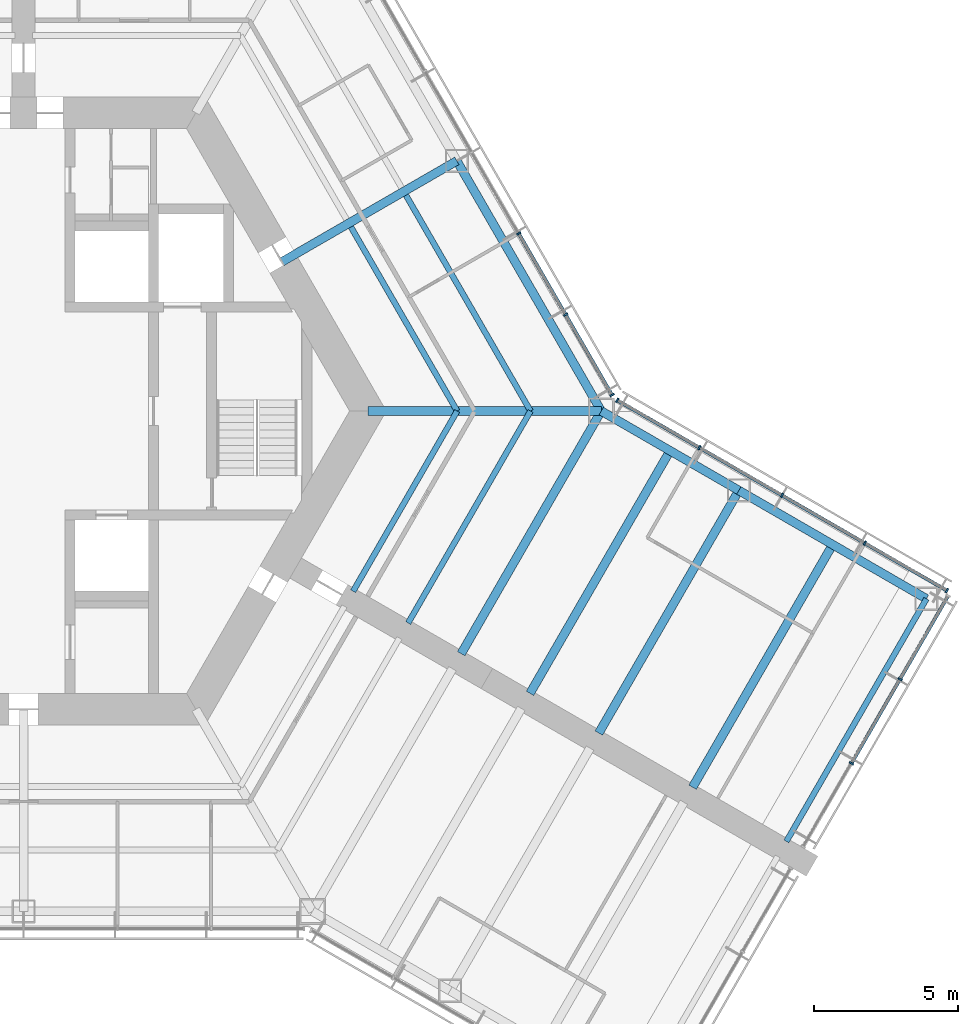
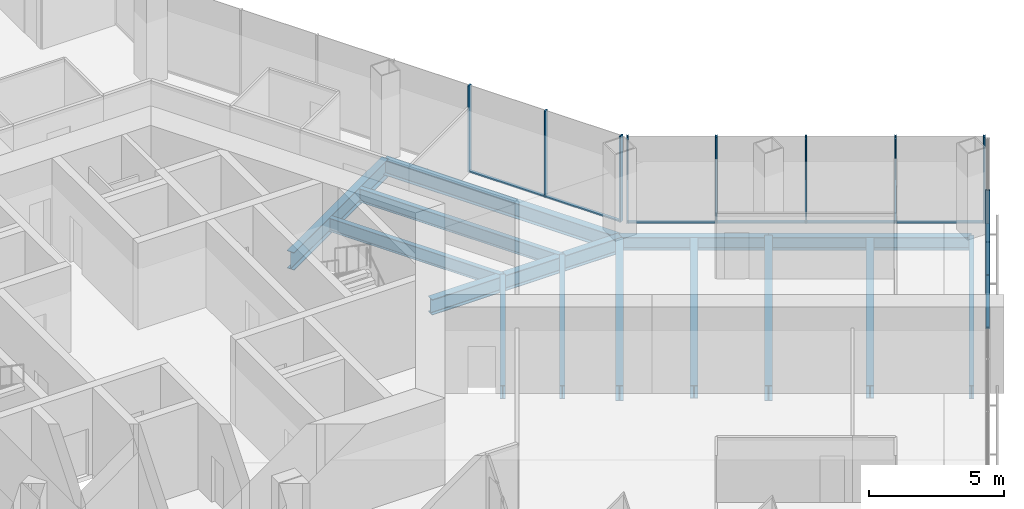
# One storey, part 6 of 18: 18 members, 14 beams, 3 elements without a shape of their own.
"""IFC4 building model written with IfcOpenShell, lengths in metres."""

from ifc_helpers import new_model, si_unit, direction, frame, origin, origin_2d, place, context, subcontext, project, spatial, rectangle, i_section, extrude, material, material_profile, profile_set, type_object, element, aggregate, save


model = new_model("IFC4")

# Units and contexts
model_context = context("Model", 3, precision=1e-05, world=origin(), true_north=direction((0.0, 1.0)))
body_context = subcontext(model_context, "Body", "Model", "MODEL_VIEW")
ifc_project = project(units=[si_unit("LENGTHUNIT", "METRE"), si_unit("AREAUNIT", "SQUARE_METRE"), si_unit("VOLUMEUNIT", "CUBIC_METRE"), si_unit("PLANEANGLEUNIT", "RADIAN"), si_unit("MASSUNIT", "GRAM", prefix="KILO")], contexts=[model_context])

# Site, building, storey
site_placement = place(None, origin())
site = spatial("IfcSite", under=ifc_project, at=site_placement, CompositionType="ELEMENT")
building_placement = place(site_placement, origin())
building = spatial("IfcBuilding", under=site, at=building_placement, Name="Kasaneha Research Tower", CompositionType="ELEMENT")
storey_placement = place(building_placement, frame((0.0, 0.0, 115.800048828125)))
storey = spatial("IfcBuildingStorey", under=building, at=storey_placement, Name="L29", CompositionType="ELEMENT", Elevation=115.800048828125)

# Beams
ifc_material_1 = material(Name="Steel SN490B", Category="steel")
ifc_material_profile_1 = material_profile(ifc_material_1, i_section(OverallWidth=0.199951171875, OverallDepth=0.60009765625, WebThickness=0.010986328125, FlangeThickness=0.01708984375, FilletRadius=0.012939453125, at=origin_2d()), Name="H-600x200x11x17")
ifc_profile_set_1 = profile_set([ifc_material_profile_1], Name="Steel SN490B")
beam_type_1 = type_object("IfcBeamType", Name="B1-3 secondary beam H-600x200x11x17", PredefinedType="JOIST", material=ifc_profile_set_1)
beam_1_placement = place(storey_placement, frame((15.010986328125, 0.0, -0.449951171875), z_axis=(-0.499994443168, 0.866028611999, 0.0), x_axis=(-0.866028611999, -0.499994443168, 0.0)))
element("IfcBeam", 1, at=beam_1_placement, inside=storey, type_object=beam_type_1, Name="Secondary beam RS030L1 L29", PredefinedType="JOIST", context=body_context, shape_type="SweptSolid", body=[
    extrude(i_section(OverallWidth=0.199951171875, OverallDepth=0.60009765625, WebThickness=0.010986328125, FlangeThickness=0.01708984375, FilletRadius=0.012939453125, at=origin_2d()), origin(), (0.0, 0.0, 1.0), 7.35546875),
])
beam_2_placement = place(storey_placement, frame((17.551513671875, 0.0, -0.449951171875), z_axis=(-0.5000050195, 0.866022505755, 0.0), x_axis=(-0.866022505755, -0.5000050195, 0.0)))
element("IfcBeam", 2, at=beam_2_placement, inside=storey, type_object=beam_type_1, Name="Secondary beam RS030L2 L29", PredefinedType="JOIST", context=body_context, shape_type="SweptSolid", body=[
    extrude(i_section(OverallWidth=0.199951171875, OverallDepth=0.60009765625, WebThickness=0.010986328125, FlangeThickness=0.01708984375, FilletRadius=0.012939453125, at=origin_2d()), origin(), (0.0, 0.0, 1.0), 8.6259765625),
])
beam_3_placement = place(storey_placement, frame((15.010986328125, 0.0, -0.449951171875), z_axis=(-0.499972735707, -0.866041144259, 0.0), x_axis=(0.866041144259, -0.499972735707, 0.0)))
element("IfcBeam", 3, at=beam_3_placement, inside=storey, type_object=beam_type_1, Name="Secondary beam RS330R1 L29", PredefinedType="JOIST", context=body_context, shape_type="SweptSolid", body=[
    extrude(i_section(OverallWidth=0.199951171875, OverallDepth=0.60009765625, WebThickness=0.010986328125, FlangeThickness=0.01708984375, FilletRadius=0.012939453125, at=origin_2d()), origin(), (0.0, 0.0, 1.0), 7.20556640625),
])
beam_4_placement = place(storey_placement, frame((17.551513671875, 0.0, -0.449951171875), z_axis=(-0.500020829043, -0.866013377797, 0.0), x_axis=(0.866013377797, -0.500020829043, 0.0)))
element("IfcBeam", 4, at=beam_4_placement, inside=storey, type_object=beam_type_1, Name="Secondary beam RS330R2 L29", PredefinedType="JOIST", context=body_context, shape_type="SweptSolid", body=[
    extrude(i_section(OverallWidth=0.199951171875, OverallDepth=0.60009765625, WebThickness=0.010986328125, FlangeThickness=0.01708984375, FilletRadius=0.012939453125, at=origin_2d()), origin(), (0.0, 0.0, 1.0), 8.475830078125),
])
ifc_material_2 = material(Name="Steel SN490B", Category="steel")
ifc_material_profile_2 = material_profile(ifc_material_2, i_section(OverallWidth=0.300048828125, OverallDepth=0.58203125, WebThickness=0.011962890625, FlangeThickness=0.01708984375, FilletRadius=0.012939453125, at=origin_2d()), Name="H-582x300x12x17")
ifc_profile_set_2 = profile_set([ifc_material_profile_2], Name="Steel SN490B")
beam_type_2 = type_object("IfcBeamType", Name="B2-3 secondary beam H-582x300x12x17", PredefinedType="JOIST", material=ifc_profile_set_2)
for number, where, z_axis, x_axis, name in (
    (5, (22.381591796875, -1.375, -0.441162109375), (-0.500010041276, -0.866019606374, 0.0), (0.866019606374, -0.500010041276, 0.0), "Secondary beam WBCN1 L29"),
    (6, (28.0107421875, -4.625, -0.441162109375), (-0.500010041276, -0.866019606374, 0.0), (0.866019606374, -0.500010041276, 0.0), "Secondary beam WBCN2 L29"),
):
    element("IfcBeam", number, at=place(storey_placement, frame(where, z_axis=z_axis, x_axis=x_axis)), inside=storey, type_object=beam_type_2, Name=name, PredefinedType="JOIST", context=body_context, shape_type="SweptSolid", body=[
        extrude(i_section(OverallWidth=0.300048828125, OverallDepth=0.58203125, WebThickness=0.011962890625, FlangeThickness=0.01708984375, FilletRadius=0.012939453125, at=origin_2d()), origin(), (0.0, 0.0, 1.0), 9.699951171875),
    ])

# Curtain wall, members
ifc_material_3 = material(Name="Glass and aluminium", Category="aluminium")
curtain_wall_type = type_object("IfcCurtainWallType", Name="Low-rise office curtain wall", PredefinedType="USERDEFINED", material=ifc_material_3)
curtain_wall_1_placement = place(storey_placement, origin())
curtain_wall_1 = element("IfcCurtainWall", 7, at=curtain_wall_1_placement, inside=storey, type_object=curtain_wall_type, Name="CW-O1 L29 run 05a", ObjectType="UNITISED CURTAIN WALL", PredefinedType="USERDEFINED")
ifc_material_4 = material(Name="Aluminium 6063-T6", Category="aluminium")
ifc_material_profile_3 = material_profile(ifc_material_4, rectangle(XDim=0.06005859375, YDim=0.159912109375, at=origin_2d()), Name="CW-O1 mullion 60x160")
ifc_profile_set_3 = profile_set([ifc_material_profile_3], Name="Aluminium 6063-T6")
member_type_1 = type_object("IfcMemberType", Name="CW-O1 mullion", PredefinedType="MULLION", material=ifc_profile_set_3)
member_1_placement = place(storey_placement, frame((28.661376953125, -12.1982421875, 0.0), z_axis=(0.0, 0.0, 1.0), x_axis=(0.500000011442, 0.866025397178, 0.0)))
member_1 = element("IfcMember", 8, at=member_1_placement, type_object=member_type_1, Name="CW-O1 mullion 2", PredefinedType="MULLION", context=body_context, shape_type="SweptSolid", body=[
    extrude(rectangle(XDim=0.06005859375, YDim=0.159912109375, at=origin_2d()), origin(), (0.0, 0.0, 1.0), 3.89990234375),
])
member_2_placement = place(storey_placement, frame((30.3447265625, -9.28271484375, 0.0), z_axis=(0.0, 0.0, 1.0), x_axis=(0.500000011442, 0.866025397178, 0.0)))
member_2 = element("IfcMember", 9, at=member_2_placement, type_object=member_type_1, Name="CW-O1 mullion 3", PredefinedType="MULLION", context=body_context, shape_type="SweptSolid", body=[
    extrude(rectangle(XDim=0.06005859375, YDim=0.159912109375, at=origin_2d()), origin(), (0.0, 0.0, 1.0), 3.89990234375),
])

curtain_wall_2_placement = place(storey_placement, origin())
curtain_wall_2 = element("IfcCurtainWall", 10, at=curtain_wall_2_placement, inside=storey, type_object=curtain_wall_type, Name="CW-O1 L29 run 06a", ObjectType="UNITISED CURTAIN WALL", PredefinedType="USERDEFINED")
member_3_placement = place(storey_placement, frame((31.96533203125, -6.21533203125, 0.0), z_axis=(0.0, 0.0, 1.0), x_axis=(-0.866025411464, 0.499999986699, 0.0)))
member_3 = element("IfcMember", 11, at=member_3_placement, type_object=member_type_1, Name="CW-O1 mullion 1", PredefinedType="MULLION", context=body_context, shape_type="SweptSolid", body=[
    extrude(rectangle(XDim=0.06005859375, YDim=0.159912109375, at=origin_2d()), origin(), (0.0, 0.0, 1.0), 3.89990234375),
])
member_4_placement = place(storey_placement, frame((29.125, -4.575439453125, 0.0), z_axis=(0.0, 0.0, 1.0), x_axis=(-0.866025411464, 0.499999986699, 0.0)))
member_4 = element("IfcMember", 12, at=member_4_placement, type_object=member_type_1, Name="CW-O1 mullion 2", PredefinedType="MULLION", context=body_context, shape_type="SweptSolid", body=[
    extrude(rectangle(XDim=0.06005859375, YDim=0.159912109375, at=origin_2d()), origin(), (0.0, 0.0, 1.0), 3.89990234375),
])
member_5_placement = place(storey_placement, frame((26.258544921875, -2.920654296875, 0.0), z_axis=(0.0, 0.0, 1.0), x_axis=(-0.866025411464, 0.499999986699, 0.0)))
member_5 = element("IfcMember", 13, at=member_5_placement, type_object=member_type_1, Name="CW-O1 mullion 3", PredefinedType="MULLION", context=body_context, shape_type="SweptSolid", body=[
    extrude(rectangle(XDim=0.06005859375, YDim=0.159912109375, at=origin_2d()), origin(), (0.0, 0.0, 1.0), 3.89990234375),
])
member_6_placement = place(storey_placement, frame((23.39208984375, -1.265625, 0.0), z_axis=(0.0, 0.0, 1.0), x_axis=(-0.866025411464, 0.499999986699, 0.0)))
member_6 = element("IfcMember", 14, at=member_6_placement, type_object=member_type_1, Name="CW-O1 mullion 4", PredefinedType="MULLION", context=body_context, shape_type="SweptSolid", body=[
    extrude(rectangle(XDim=0.06005859375, YDim=0.159912109375, at=origin_2d()), origin(), (0.0, 0.0, 1.0), 3.89990234375),
])
member_7_placement = place(storey_placement, frame((20.5517578125, 0.374267578125, 0.0), z_axis=(0.0, 0.0, 1.0), x_axis=(-0.866025411464, 0.499999986699, 0.0)))
member_7 = element("IfcMember", 15, at=member_7_placement, type_object=member_type_1, Name="CW-O1 mullion 5", PredefinedType="MULLION", context=body_context, shape_type="SweptSolid", body=[
    extrude(rectangle(XDim=0.06005859375, YDim=0.159912109375, at=origin_2d()), origin(), (0.0, 0.0, 1.0), 3.89990234375),
])

curtain_wall_3_placement = place(storey_placement, origin())
curtain_wall_3 = element("IfcCurtainWall", 16, at=curtain_wall_3_placement, inside=storey, type_object=curtain_wall_type, Name="CW-O1 L29 run 07a", ObjectType="UNITISED CURTAIN WALL", PredefinedType="USERDEFINED")
member_8_placement = place(storey_placement, frame((20.374267578125, 0.5517578125, 0.0), z_axis=(0.0, 0.0, 1.0), x_axis=(-0.49999996188, 0.866025425793, 0.0)))
member_8 = element("IfcMember", 17, at=member_8_placement, type_object=member_type_1, Name="CW-O1 mullion 1", PredefinedType="MULLION", context=body_context, shape_type="SweptSolid", body=[
    extrude(rectangle(XDim=0.06005859375, YDim=0.159912109375, at=origin_2d()), origin(), (0.0, 0.0, 1.0), 3.89990234375),
])
member_9_placement = place(storey_placement, frame((18.76611328125, 3.33740234375, 0.0), z_axis=(0.0, 0.0, 1.0), x_axis=(-0.49999996188, 0.866025425793, 0.0)))
member_9 = element("IfcMember", 18, at=member_9_placement, type_object=member_type_1, Name="CW-O1 mullion 2", PredefinedType="MULLION", context=body_context, shape_type="SweptSolid", body=[
    extrude(rectangle(XDim=0.06005859375, YDim=0.159912109375, at=origin_2d()), origin(), (0.0, 0.0, 1.0), 3.89990234375),
])
member_10_placement = place(storey_placement, frame((17.142822265625, 6.148681640625, 0.0), z_axis=(0.0, 0.0, 1.0), x_axis=(-0.49999996188, 0.866025425793, 0.0)))
member_10 = element("IfcMember", 19, at=member_10_placement, type_object=member_type_1, Name="CW-O1 mullion 3", PredefinedType="MULLION", context=body_context, shape_type="SweptSolid", body=[
    extrude(rectangle(XDim=0.06005859375, YDim=0.159912109375, at=origin_2d()), origin(), (0.0, 0.0, 1.0), 3.89990234375),
])

# Member
ifc_material_5 = material(Name="Aluminium 6063-T6", Category="aluminium")
ifc_material_profile_4 = material_profile(ifc_material_5, rectangle(XDim=0.1201171875, YDim=0.06005859375, at=origin_2d()), Name="CW-O1 transom 120x60")
ifc_profile_set_4 = profile_set([ifc_material_profile_4], Name="Aluminium 6063-T6")
member_type_2 = type_object("IfcMemberType", Name="CW-O1 transom", PredefinedType="USERDEFINED", material=ifc_profile_set_4)
member_11_placement = place(storey_placement, frame((28.67626953125, -12.17236328125, 0.030029296875), z_axis=(0.499982354831, 0.866035590988, 0.0), x_axis=(-0.866035590988, 0.499982354831, 0.0)))
member_11 = element("IfcMember", 20, at=member_11_placement, type_object=member_type_2, Name="CW-O1 transom 2", ObjectType="TRANSOM", PredefinedType="USERDEFINED", context=body_context, shape_type="SweptSolid", body=[
    extrude(rectangle(XDim=0.1201171875, YDim=0.06005859375, at=origin_2d()), origin(), (0.0, 0.0, 1.0), 3.306640625),
])

member_12_placement = place(storey_placement, frame((30.359619140625, -9.256591796875, 0.030029296875), z_axis=(0.500025583411, 0.866010632691, 0.0), x_axis=(-0.866010632691, 0.500025583411, 0.0)))
member_12 = element("IfcMember", 21, at=member_12_placement, type_object=member_type_2, Name="CW-O1 transom 3", ObjectType="TRANSOM", PredefinedType="USERDEFINED", context=body_context, shape_type="SweptSolid", body=[
    extrude(rectangle(XDim=0.1201171875, YDim=0.06005859375, at=origin_2d()), origin(), (0.0, 0.0, 1.0), 3.276611328125),
])

aggregate(curtain_wall_1, [member_1, member_2, member_11, member_12])

member_13_placement = place(storey_placement, frame((31.939453125, -6.200439453125, 0.030029296875), z_axis=(-0.866041647767, 0.499971863542, 0.0), x_axis=(-0.499971863542, -0.866041647767, 0.0)))
member_13 = element("IfcMember", 22, at=member_13_placement, type_object=member_type_2, Name="CW-O1 transom 1", ObjectType="TRANSOM", PredefinedType="USERDEFINED", context=body_context, shape_type="SweptSolid", body=[
    extrude(rectangle(XDim=0.1201171875, YDim=0.06005859375, at=origin_2d()), origin(), (0.0, 0.0, 1.0), 3.219970703125),
])

member_14_placement = place(storey_placement, frame((29.098876953125, -4.560546875, 0.030029296875), z_axis=(-0.86599666273, 0.500049777664, 0.0), x_axis=(-0.500049777664, -0.86599666273, 0.0)))
member_14 = element("IfcMember", 23, at=member_14_placement, type_object=member_type_2, Name="CW-O1 transom 2", ObjectType="TRANSOM", PredefinedType="USERDEFINED", context=body_context, shape_type="SweptSolid", body=[
    extrude(rectangle(XDim=0.1201171875, YDim=0.06005859375, at=origin_2d()), origin(), (0.0, 0.0, 1.0), 3.249755859375),
])

member_15_placement = place(storey_placement, frame((26.232666015625, -2.905517578125, 0.030029296875), z_axis=(-0.86604797581, 0.499960902066, 0.0), x_axis=(-0.499960902066, -0.86604797581, 0.0)))
member_15 = element("IfcMember", 24, at=member_15_placement, type_object=member_type_2, Name="CW-O1 transom 3", ObjectType="TRANSOM", PredefinedType="USERDEFINED", context=body_context, shape_type="SweptSolid", body=[
    extrude(rectangle(XDim=0.1201171875, YDim=0.06005859375, at=origin_2d()), origin(), (0.0, 0.0, 1.0), 3.249755859375),
])

member_16_placement = place(storey_placement, frame((23.3662109375, -1.250732421875, 0.030029296875), z_axis=(-0.866022692473, 0.500004696101, 0.0), x_axis=(-0.500004696101, -0.866022692473, 0.0)))
member_16 = element("IfcMember", 25, at=member_16_placement, type_object=member_type_2, Name="CW-O1 transom 4", ObjectType="TRANSOM", PredefinedType="USERDEFINED", context=body_context, shape_type="SweptSolid", body=[
    extrude(rectangle(XDim=0.1201171875, YDim=0.06005859375, at=origin_2d()), origin(), (0.0, 0.0, 1.0), 3.2197265625),
])

aggregate(curtain_wall_2, [member_3, member_4, member_5, member_6, member_7, member_13, member_14, member_15, member_16])

member_17_placement = place(storey_placement, frame((20.359130859375, 0.577880859375, 0.030029296875), z_axis=(-0.499999210213, 0.866025859768, 0.0), x_axis=(-0.866025859768, -0.499999210213, 0.0)))
member_17 = element("IfcMember", 26, at=member_17_placement, type_object=member_type_2, Name="CW-O1 transom 1", ObjectType="TRANSOM", PredefinedType="USERDEFINED", context=body_context, shape_type="SweptSolid", body=[
    extrude(rectangle(XDim=0.1201171875, YDim=0.06005859375, at=origin_2d()), origin(), (0.0, 0.0, 1.0), 3.15625),
])

member_18_placement = place(storey_placement, frame((18.7509765625, 3.36328125, 0.030029296875), z_axis=(-0.500012062035, 0.866018439653, 0.0), x_axis=(-0.866018439653, -0.500012062035, 0.0)))
member_18 = element("IfcMember", 27, at=member_18_placement, type_object=member_type_2, Name="CW-O1 transom 2", ObjectType="TRANSOM", PredefinedType="USERDEFINED", context=body_context, shape_type="SweptSolid", body=[
    extrude(rectangle(XDim=0.1201171875, YDim=0.06005859375, at=origin_2d()), origin(), (0.0, 0.0, 1.0), 3.1865234375),
])

aggregate(curtain_wall_3, [member_8, member_9, member_10, member_17, member_18])

# Beams
ifc_material_6 = material(Name="Steel SN490B", Category="steel")
ifc_material_profile_5 = material_profile(ifc_material_6, i_section(OverallWidth=0.300048828125, OverallDepth=0.699951171875, WebThickness=0.012939453125, FlangeThickness=0.02392578125, FilletRadius=0.01806640625, at=origin_2d()), Name="H-700x300x13x24")
ifc_profile_set_5 = profile_set([ifc_material_profile_5], Name="Steel SN490B")
beam_type_3 = type_object("IfcBeamType", Name="G1-3 radial girder H-700x300x13x24", PredefinedType="BEAM", material=ifc_profile_set_5)
beam_5_placement = place(storey_placement, frame((11.92236328125, 0.0, -0.5), z_axis=(1.0, 0.0, 0.0), x_axis=(0.0, 1.0, 0.0)))
element("IfcBeam", 28, at=beam_5_placement, inside=storey, type_object=beam_type_3, Name="Radial girder RV000 L29", PredefinedType="BEAM", context=body_context, shape_type="SweptSolid", body=[
    extrude(i_section(OverallWidth=0.300048828125, OverallDepth=0.699951171875, WebThickness=0.012939453125, FlangeThickness=0.02392578125, FilletRadius=0.01806640625, at=origin_2d()), origin(), (0.0, 0.0, 1.0), 8.07763671875),
])
ifc_material_7 = material(Name="Steel SN490B", Category="steel")
ifc_material_profile_6 = material_profile(ifc_material_7, i_section(OverallWidth=0.300048828125, OverallDepth=0.800048828125, WebThickness=0.013916015625, FlangeThickness=0.02587890625, FilletRadius=0.01806640625, at=origin_2d()), Name="H-800x300x14x26")
ifc_profile_set_6 = profile_set([ifc_material_profile_6], Name="Steel SN490B")
beam_type_4 = type_object("IfcBeamType", Name="G2-3 radial girder H-800x300x14x26", PredefinedType="BEAM", material=ifc_profile_set_6)
beam_6_placement = place(storey_placement, frame((8.941650390625, 5.16259765625, -0.550048828125), z_axis=(0.866039713508, 0.499975214012, 0.0), x_axis=(-0.499975214012, 0.866039713508, 0.0)))
element("IfcBeam", 29, at=beam_6_placement, inside=storey, type_object=beam_type_4, Name="Radial girder RM030 L29", PredefinedType="BEAM", context=body_context, shape_type="SweptSolid", body=[
    extrude(i_section(OverallWidth=0.300048828125, OverallDepth=0.800048828125, WebThickness=0.013916015625, FlangeThickness=0.02587890625, FilletRadius=0.01806640625, at=origin_2d()), origin(), (0.0, 0.0, 1.0), 6.995361328125),
])
ifc_material_8 = material(Name="Steel SN490B", Category="steel")
ifc_material_profile_7 = material_profile(ifc_material_8, i_section(OverallWidth=0.300048828125, OverallDepth=0.69189453125, WebThickness=0.012939453125, FlangeThickness=0.02001953125, FilletRadius=0.01806640625, at=origin_2d()), Name="H-692x300x13x20")
ifc_profile_set_7 = profile_set([ifc_material_profile_7], Name="Steel SN490B")
beam_type_5 = type_object("IfcBeamType", Name="G3-3 plate edge girder H-692x300x13x20", PredefinedType="BEAM", material=ifc_profile_set_7)
beam_7_placement = place(storey_placement, frame((20.0, 0.0, -0.49609375), z_axis=(-0.500010041276, -0.866019606374, 0.0), x_axis=(0.866019606374, -0.500010041276, 0.0)))
element("IfcBeam", 30, at=beam_7_placement, inside=storey, type_object=beam_type_5, Name="Plate edge girder PECN L29", PredefinedType="BEAM", context=body_context, shape_type="SweptSolid", body=[
    extrude(i_section(OverallWidth=0.300048828125, OverallDepth=0.69189453125, WebThickness=0.012939453125, FlangeThickness=0.02001953125, FilletRadius=0.01806640625, at=origin_2d()), origin(), (0.0, 0.0, 1.0), 9.699951171875),
])
ifc_material_9 = material(Name="Steel SN490B", Category="steel")
ifc_material_profile_8 = material_profile(ifc_material_9, i_section(OverallWidth=0.300048828125, OverallDepth=0.699951171875, WebThickness=0.012939453125, FlangeThickness=0.02392578125, FilletRadius=0.01806640625, at=origin_2d()), Name="H-700x300x13x24")
ifc_profile_set_8 = profile_set([ifc_material_profile_8], Name="Steel SN490B")
beam_type_6 = type_object("IfcBeamType", Name="G4-3 wing girder H-700x300x13x24", PredefinedType="BEAM", material=ifc_profile_set_8)
beam_8_placement = place(storey_placement, frame((24.76318359375, -2.75, -0.5), z_axis=(-0.500010041276, -0.866019606374, 0.0), x_axis=(0.866019606374, -0.500010041276, 0.0)))
element("IfcBeam", 31, at=beam_8_placement, inside=storey, type_object=beam_type_6, Name="Wing girder WGCN L29", PredefinedType="BEAM", context=body_context, shape_type="SweptSolid", body=[
    extrude(i_section(OverallWidth=0.300048828125, OverallDepth=0.699951171875, WebThickness=0.012939453125, FlangeThickness=0.02392578125, FilletRadius=0.01806640625, at=origin_2d()), origin(), (0.0, 0.0, 1.0), 9.699951171875),
])
ifc_material_10 = material(Name="Steel SN490B", Category="steel")
ifc_material_profile_9 = material_profile(ifc_material_10, i_section(OverallWidth=0.300048828125, OverallDepth=0.69189453125, WebThickness=0.012939453125, FlangeThickness=0.02001953125, FilletRadius=0.01806640625, at=origin_2d()), Name="H-692x300x13x20")
ifc_profile_set_9 = profile_set([ifc_material_profile_9], Name="Steel SN490B")
beam_type_7 = type_object("IfcBeamType", Name="SB1-3 spandrel beam H-692x300x13x20", PredefinedType="SPANDREL", material=ifc_profile_set_9)
beam_9_placement = place(storey_placement, frame((20.0, 0.0, -0.49609375), z_axis=(-0.500004234368, 0.866022959057, 0.0), x_axis=(-0.866022959057, -0.500004234368, 0.0)))
element("IfcBeam", 32, at=beam_9_placement, inside=storey, type_object=beam_type_7, Name="Spandrel beam SR030L L29", PredefinedType="SPANDREL", context=body_context, shape_type="SweptSolid", body=[
    extrude(i_section(OverallWidth=0.300048828125, OverallDepth=0.69189453125, WebThickness=0.012939453125, FlangeThickness=0.02001953125, FilletRadius=0.01806640625, at=origin_2d()), origin(), (0.0, 0.0, 1.0), 10.0),
])
ifc_material_11 = material(Name="Steel SN490B", Category="steel")
ifc_material_profile_10 = material_profile(ifc_material_11, i_section(OverallWidth=0.300048828125, OverallDepth=0.58203125, WebThickness=0.011962890625, FlangeThickness=0.01708984375, FilletRadius=0.012939453125, at=origin_2d()), Name="H-582x300x12x17")
ifc_profile_set_10 = profile_set([ifc_material_profile_10], Name="Steel SN490B")
beam_type_8 = type_object("IfcBeamType", Name="SB2-3 spandrel beam H-582x300x12x17", PredefinedType="SPANDREL", material=ifc_profile_set_10)
beam_10_placement = place(storey_placement, frame((20.0, 0.0, -0.441162109375), z_axis=(0.866027397988, -0.499996545922, 0.0), x_axis=(0.499996545922, 0.866027397988, 0.0)))
element("IfcBeam", 33, at=beam_10_placement, inside=storey, type_object=beam_type_8, Name="Spandrel beam WSCN1 L29", PredefinedType="SPANDREL", context=body_context, shape_type="SweptSolid", body=[
    extrude(i_section(OverallWidth=0.300048828125, OverallDepth=0.58203125, WebThickness=0.011962890625, FlangeThickness=0.01708984375, FilletRadius=0.012939453125, at=origin_2d()), origin(), (0.0, 0.0, 1.0), 5.5),
])
beam_11_placement = place(storey_placement, frame((24.76318359375, -2.75, -0.441162109375), z_axis=(0.866022959057, -0.500004234368, 0.0), x_axis=(0.500004234368, 0.866022959057, 0.0)))
element("IfcBeam", 34, at=beam_11_placement, inside=storey, type_object=beam_type_8, Name="Spandrel beam WSCN2 L29", PredefinedType="SPANDREL", context=body_context, shape_type="SweptSolid", body=[
    extrude(i_section(OverallWidth=0.300048828125, OverallDepth=0.58203125, WebThickness=0.011962890625, FlangeThickness=0.01708984375, FilletRadius=0.012939453125, at=origin_2d()), origin(), (0.0, 0.0, 1.0), 7.5),
])
ifc_material_12 = material(Name="Steel SN490B", Category="steel")
ifc_material_profile_11 = material_profile(ifc_material_12, i_section(OverallWidth=0.199951171875, OverallDepth=0.60009765625, WebThickness=0.010986328125, FlangeThickness=0.01708984375, FilletRadius=0.012939453125, at=origin_2d()), Name="H-600x200x11x17")
ifc_profile_set_11 = profile_set([ifc_material_profile_11], Name="Steel SN490B")
beam_type_9 = type_object("IfcBeamType", Name="SB3-3 spandrel beam H-600x200x11x17", PredefinedType="SPANDREL", material=ifc_profile_set_11)
beam_12_placement = place(storey_placement, frame((31.25830078125, -6.5, -0.449951171875), z_axis=(-0.499991164321, -0.866030505006, 0.0), x_axis=(0.866030505006, -0.499991164321, 0.0)))
element("IfcBeam", 35, at=beam_12_placement, inside=storey, type_object=beam_type_9, Name="Spandrel beam WTCN L29", PredefinedType="SPANDREL", context=body_context, shape_type="SweptSolid", body=[
    extrude(i_section(OverallWidth=0.199951171875, OverallDepth=0.60009765625, WebThickness=0.010986328125, FlangeThickness=0.01708984375, FilletRadius=0.012939453125, at=origin_2d()), origin(), (0.0, 0.0, 1.0), 9.699951171875),
])

save(model, "model.ifc")
